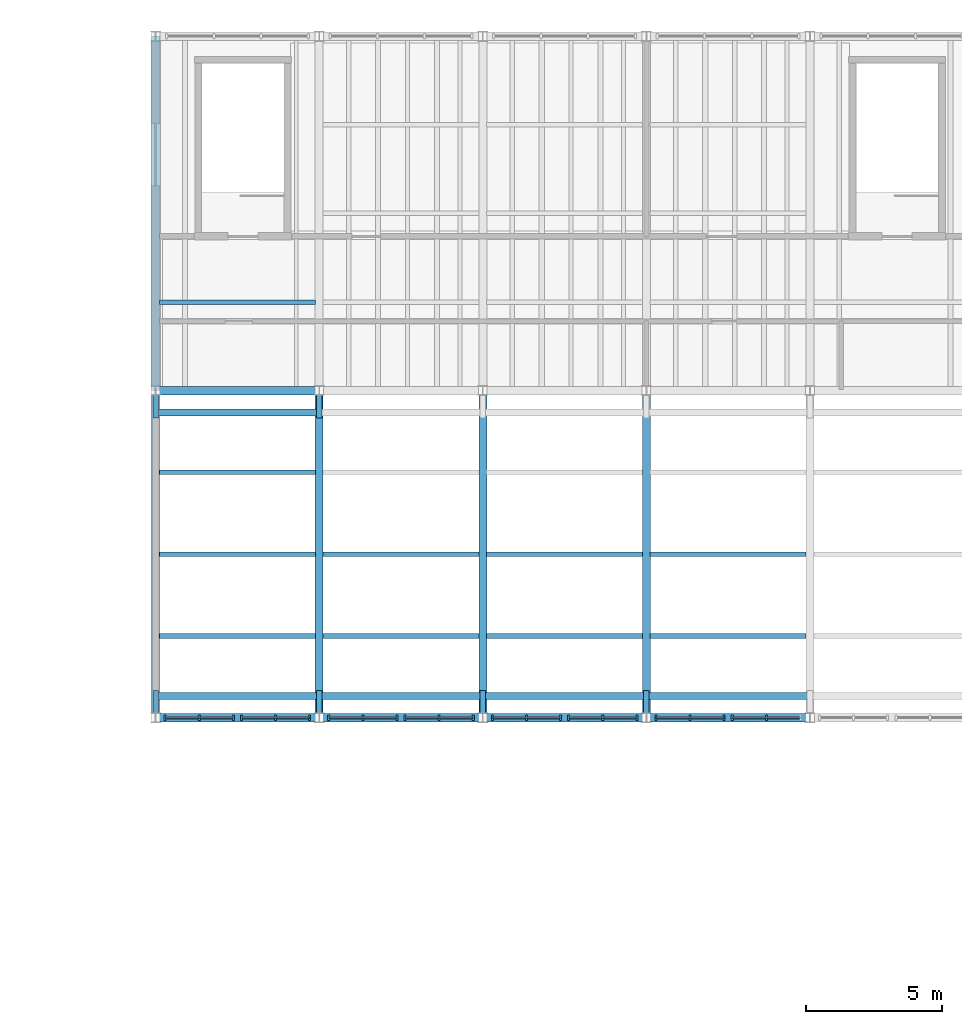
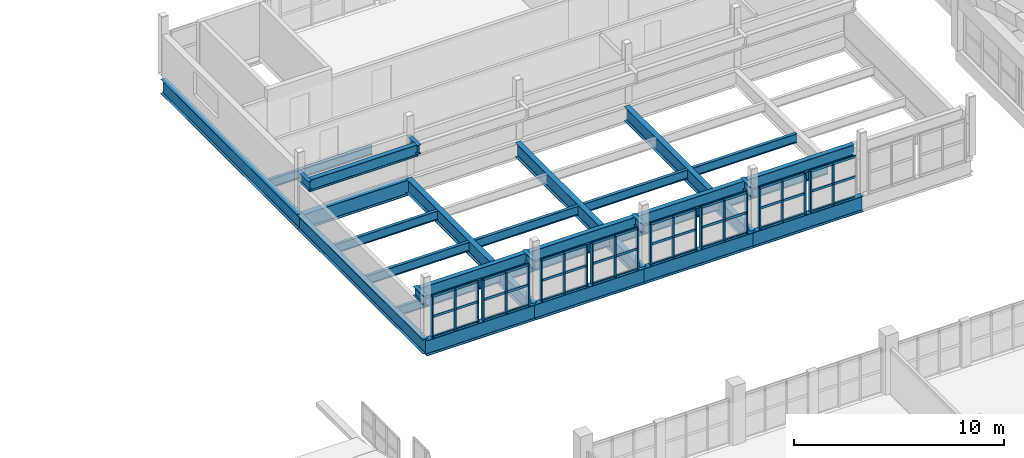
# One storey, part 37 of 77: 47 members, 31 beams, 8 elements without a shape of their own.
"""IFC4 building model written with IfcOpenShell, lengths in metres."""

from ifc_helpers import new_model, si_unit, direction, frame, origin, origin_2d, place, context, subcontext, project, spatial, rectangle, i_section, extrude, material, layer, layer_set, material_profile, profile_set, type_object, element, aggregate, save


model = new_model("IFC4")

# Units and contexts
model_context = context("Model", 3, precision=1e-05, world=origin(), true_north=direction((0.0, 1.0)))
body_context = subcontext(model_context, "Body", "Model", "MODEL_VIEW")
ifc_project = project(units=[si_unit("LENGTHUNIT", "METRE"), si_unit("AREAUNIT", "SQUARE_METRE"), si_unit("VOLUMEUNIT", "CUBIC_METRE"), si_unit("PLANEANGLEUNIT", "RADIAN"), si_unit("MASSUNIT", "GRAM", prefix="KILO")], contexts=[model_context])

# Site, building, storey
site_placement = place(None, origin())
site = spatial("IfcSite", under=ifc_project, at=site_placement, CompositionType="ELEMENT")
building_placement = place(site_placement, origin())
building = spatial("IfcBuilding", under=site, at=building_placement, Name="Trellovar Central Fire Station", CompositionType="ELEMENT")
storey_placement = place(building_placement, frame((0.0, 0.0, 5.85009765625)))
storey = spatial("IfcBuildingStorey", under=building, at=storey_placement, Name="L02", CompositionType="ELEMENT", Elevation=5.85009765625)

# Beams
ifc_material_1 = material(Name="Steel ASTM A992 Grade 50", Category="steel")
ifc_material_profile_1 = material_profile(ifc_material_1, i_section(OverallWidth=0.3046875, OverallDepth=0.911865234375, WebThickness=0.015869140625, FlangeThickness=0.02392578125, FilletRadius=0.024169921875, at=origin_2d()), Name="W36X150")
ifc_profile_set_1 = profile_set([ifc_material_profile_1], Name="Steel ASTM A992 Grade 50")
beam_type_1 = type_object("IfcBeamType", Name="BM-SW1", PredefinedType="BEAM", material=ifc_profile_set_1)
for number, where, z_axis, x_axis, name in (
    (1, (105.5, 48.0, -0.7060546875), (1.0, 0.0, 0.0), (0.0, 1.0, 0.0), "L02 beam SB-1"),
    (2, (111.5, 48.0, -0.7060546875), (1.0, 0.0, 0.0), (0.0, 1.0, 0.0), "L02 beam SB-1"),
    (3, (117.5, 48.0, -0.7060546875), (1.0, 0.0, 0.0), (0.0, 1.0, 0.0), "L02 beam SB-1"),
    (4, (123.5, 48.0, -0.7060546875), (1.0, 0.0, 0.0), (0.0, 1.0, 0.0), "L02 beam SB-1"),
    (5, (105.5, 60.0, -0.7060546875), (1.0, 0.0, 0.0), (0.0, 1.0, 0.0), "L02 beam SB-1"),
):
    element("IfcBeam", number, at=place(storey_placement, frame(where, z_axis=z_axis, x_axis=x_axis)), inside=storey, type_object=beam_type_1, Name=name, PredefinedType="BEAM", context=body_context, shape_type="SweptSolid", body=[
        extrude(i_section(OverallWidth=0.3046875, OverallDepth=0.911865234375, WebThickness=0.015869140625, FlangeThickness=0.02392578125, FilletRadius=0.024169921875, at=origin_2d()), origin(), (0.0, 0.0, 1.0), 6.0),
    ])
ifc_material_2 = material(Name="Steel ASTM A992 Grade 50", Category="steel")
ifc_material_profile_2 = material_profile(ifc_material_2, i_section(OverallWidth=0.2919921875, OverallDepth=0.8408203125, WebThickness=0.0146484375, FlangeThickness=0.021728515625, FilletRadius=0.020263671875, at=origin_2d()), Name="W33X130")
ifc_profile_set_2 = profile_set([ifc_material_profile_2], Name="Steel ASTM A992 Grade 50")
beam_type_2 = type_object("IfcBeamType", Name="BM-SW2", PredefinedType="BEAM", material=ifc_profile_set_2)
beam_1_placement = place(storey_placement, frame((105.5, 48.0, -0.67041015625), z_axis=(0.0, 1.0, 0.0), x_axis=(-1.0, 0.0, 0.0)))
element("IfcBeam", 6, at=beam_1_placement, inside=storey, type_object=beam_type_2, Name="L02 beam SB-2", PredefinedType="BEAM", context=body_context, shape_type="SweptSolid", body=[
    extrude(i_section(OverallWidth=0.2919921875, OverallDepth=0.8408203125, WebThickness=0.0146484375, FlangeThickness=0.021728515625, FilletRadius=0.020263671875, at=origin_2d()), origin(), (0.0, 0.0, 1.0), 12.0),
])
beam_2_placement = place(storey_placement, frame((105.5, 60.0, -0.67041015625), z_axis=(0.0, 1.0, 0.0), x_axis=(-1.0, 0.0, 0.0)))
element("IfcBeam", 7, at=beam_2_placement, inside=storey, type_object=beam_type_2, Name="L02 beam SB-2", PredefinedType="BEAM", context=body_context, shape_type="SweptSolid", body=[
    extrude(i_section(OverallWidth=0.2919921875, OverallDepth=0.8408203125, WebThickness=0.0146484375, FlangeThickness=0.021728515625, FilletRadius=0.020263671875, at=origin_2d()), origin(), (0.0, 0.0, 1.0), 13.0),
])
for number, where, z_axis, x_axis, name in (
    (8, (111.5, 48.0, -0.67041015625), (0.0, 1.0, 0.0), (-1.0, 0.0, 0.0), "L02 beam SB-2"),
    (9, (117.5, 48.0, -0.67041015625), (0.0, 1.0, 0.0), (-1.0, 0.0, 0.0), "L02 beam SB-2"),
    (10, (123.5, 48.0, -0.67041015625), (0.0, 1.0, 0.0), (-1.0, 0.0, 0.0), "L02 beam SB-2"),
):
    element("IfcBeam", number, at=place(storey_placement, frame(where, z_axis=z_axis, x_axis=x_axis)), inside=storey, type_object=beam_type_2, Name=name, PredefinedType="BEAM", context=body_context, shape_type="SweptSolid", body=[
        extrude(i_section(OverallWidth=0.2919921875, OverallDepth=0.8408203125, WebThickness=0.0146484375, FlangeThickness=0.021728515625, FilletRadius=0.020263671875, at=origin_2d()), origin(), (0.0, 0.0, 1.0), 12.0),
    ])
ifc_material_3 = material(Name="Steel ASTM A992 Grade 50", Category="steel")
ifc_material_profile_3 = material_profile(ifc_material_3, i_section(OverallWidth=0.253662109375, OverallDepth=0.683349609375, WebThickness=0.012451171875, FlangeThickness=0.018798828125, FilletRadius=0.0166015625, at=origin_2d()), Name="W27X94")
ifc_profile_set_3 = profile_set([ifc_material_profile_3], Name="Steel ASTM A992 Grade 50")
beam_type_3 = type_object("IfcBeamType", Name="BM-SW4", PredefinedType="BEAM", material=ifc_profile_set_3)
for number, where, z_axis, x_axis, name in (
    (11, (105.5, 48.800048828125, 1.908203125), (1.0, 0.0, 0.0), (0.0, 1.0, 0.0), "Fleet workshop 10t bridge crane runway beam"),
    (12, (111.5, 48.800048828125, 1.908203125), (1.0, 0.0, 0.0), (0.0, 1.0, 0.0), "Fleet workshop 10t bridge crane runway beam"),
    (13, (117.5, 48.800048828125, 1.908203125), (1.0, 0.0, 0.0), (0.0, 1.0, 0.0), "Fleet workshop 10t bridge crane runway beam"),
    (14, (123.5, 48.800048828125, 1.908203125), (1.0, 0.0, 0.0), (0.0, 1.0, 0.0), "Fleet workshop 10t bridge crane runway beam"),
    (15, (105.5, 59.199951171875, 1.908203125), (1.0, 0.0, 0.0), (0.0, 1.0, 0.0), "Fleet workshop 10t bridge crane runway beam"),
):
    element("IfcBeam", number, at=place(storey_placement, frame(where, z_axis=z_axis, x_axis=x_axis)), inside=storey, type_object=beam_type_3, Name=name, PredefinedType="BEAM", context=body_context, shape_type="SweptSolid", body=[
        extrude(i_section(OverallWidth=0.253662109375, OverallDepth=0.683349609375, WebThickness=0.012451171875, FlangeThickness=0.018798828125, FilletRadius=0.0166015625, at=origin_2d()), origin(), (0.0, 0.0, 1.0), 6.0),
    ])
ifc_material_4 = material(Name="Steel ASTM A992 Grade 50", Category="steel")
ifc_material_profile_4 = material_profile(ifc_material_4, i_section(OverallWidth=0.209228515625, OverallDepth=0.533447265625, WebThickness=0.01025390625, FlangeThickness=0.015625, FilletRadius=0.013916015625, at=origin_2d()), Name="W21X62")
ifc_profile_set_4 = profile_set([ifc_material_profile_4], Name="Steel ASTM A992 Grade 50")
beam_type_4 = type_object("IfcBeamType", Name="BM-SW7", PredefinedType="BEAM", material=ifc_profile_set_4)
for number, where, z_axis, x_axis, name in (
    (16, (105.5, 48.0, 1.983154296875), (0.0, 1.0, 0.0), (-1.0, 0.0, 0.0), "Crane runway column corbel S"),
    (17, (105.5, 59.0, 1.983154296875), (0.0, 1.0, 0.0), (-1.0, 0.0, 0.0), "Crane runway column corbel N"),
    (18, (111.5, 48.0, 1.983154296875), (0.0, 1.0, 0.0), (-1.0, 0.0, 0.0), "Crane runway column corbel S"),
    (19, (111.5, 59.0, 1.983154296875), (0.0, 1.0, 0.0), (-1.0, 0.0, 0.0), "Crane runway column corbel N"),
    (20, (117.5, 48.0, 1.983154296875), (0.0, 1.0, 0.0), (-1.0, 0.0, 0.0), "Crane runway column corbel S"),
    (21, (123.5, 48.0, 1.983154296875), (0.0, 1.0, 0.0), (-1.0, 0.0, 0.0), "Crane runway column corbel S"),
):
    element("IfcBeam", number, at=place(storey_placement, frame(where, z_axis=z_axis, x_axis=x_axis)), inside=storey, type_object=beam_type_4, Name=name, PredefinedType="BEAM", context=body_context, shape_type="SweptSolid", body=[
        extrude(i_section(OverallWidth=0.209228515625, OverallDepth=0.533447265625, WebThickness=0.01025390625, FlangeThickness=0.015625, FilletRadius=0.013916015625, at=origin_2d()), origin(), (0.0, 0.0, 1.0), 1.0),
    ])
ifc_material_5 = material(Name="Steel ASTM A992 Grade 50", Category="steel")
ifc_material_profile_5 = material_profile(ifc_material_5, i_section(OverallWidth=0.166015625, OverallDepth=0.529052734375, WebThickness=0.009765625, FlangeThickness=0.013671875, FilletRadius=0.013916015625, at=origin_2d()), Name="W21X50")
ifc_profile_set_5 = profile_set([ifc_material_profile_5], Name="Steel ASTM A992 Grade 50")
beam_type_5 = type_object("IfcBeamType", Name="BM-SW8", PredefinedType="JOIST", material=ifc_profile_set_5)
for number, where, z_axis, x_axis, name in (
    (22, (105.64111328125, 51.0, -0.5146484375), (1.0, 0.0, 0.0), (0.0, 1.0, 0.0), "L02 beam SB-8"),
    (23, (105.64111328125, 54.0, -0.5146484375), (1.0, 0.0, 0.0), (0.0, 1.0, 0.0), "L02 beam SB-8"),
    (24, (105.64111328125, 57.0, -0.5146484375), (1.0, 0.0, 0.0), (0.0, 1.0, 0.0), "L02 beam SB-8"),
    (25, (105.64111328125, 63.25, -0.5146484375), (1.0, 0.0, 0.0), (0.0, 1.0, 0.0), "L02 beam SB-8"),
    (26, (111.64111328125, 51.0, -0.5146484375), (1.0, 0.0, 0.0), (0.0, 1.0, 0.0), "L02 beam SB-8"),
    (27, (111.64111328125, 54.0, -0.5146484375), (1.0, 0.0, 0.0), (0.0, 1.0, 0.0), "L02 beam SB-8"),
    (28, (117.64111328125, 51.0, -0.5146484375), (1.0, 0.0, 0.0), (0.0, 1.0, 0.0), "L02 beam SB-8"),
    (29, (117.64111328125, 54.0, -0.5146484375), (1.0, 0.0, 0.0), (0.0, 1.0, 0.0), "L02 beam SB-8"),
    (30, (123.64111328125, 51.0, -0.5146484375), (1.0, 0.0, 0.0), (0.0, 1.0, 0.0), "L02 beam SB-8"),
    (31, (123.64111328125, 54.0, -0.5146484375), (1.0, 0.0, 0.0), (0.0, 1.0, 0.0), "L02 beam SB-8"),
):
    element("IfcBeam", number, at=place(storey_placement, frame(where, z_axis=z_axis, x_axis=x_axis)), inside=storey, type_object=beam_type_5, Name=name, PredefinedType="JOIST", context=body_context, shape_type="SweptSolid", body=[
        extrude(i_section(OverallWidth=0.166015625, OverallDepth=0.529052734375, WebThickness=0.009765625, FlangeThickness=0.013671875, FilletRadius=0.013916015625, at=origin_2d()), origin(), (0.0, 0.0, 1.0), 5.7177734375),
    ])

# Curtain wall, members
ifc_material_6 = material(Name="Thermally broken bronze anodized aluminum", Category="aluminium")
ifc_layer = layer(ifc_material_6, 0.159912109375)
ifc_layer_set = layer_set([ifc_layer], Name="Thermally broken bronze anodized aluminum")
curtain_wall_type = type_object("IfcCurtainWallType", Name="CW-08", PredefinedType="NOTDEFINED", material=ifc_layer_set)
curtain_wall_1_placement = place(storey_placement, origin())
curtain_wall_1 = element("IfcCurtainWall", 32, at=curtain_wall_1_placement, inside=storey, type_object=curtain_wall_type, Name="V6 workshop upper clerestory 1A", PredefinedType="NOTDEFINED")
ifc_material_7 = material(Name="Thermally broken bronze anodized aluminum", Category="aluminium")
ifc_material_profile_6 = material_profile(ifc_material_7, rectangle(XDim=0.074951171875, YDim=0.199951171875, at=origin_2d()), Name="ALU75X200")
ifc_profile_set_6 = profile_set([ifc_material_profile_6], Name="Thermally broken bronze anodized aluminum")
member_type_1 = type_object("IfcMemberType", Name="CWM-1", PredefinedType="MULLION", material=ifc_profile_set_6)
member_1_placement = place(storey_placement, frame((105.85009765625, 48.0, -0.25), z_axis=(0.0, 0.0, 1.0), x_axis=(1.0, 0.0, 0.0)))
member_1 = element("IfcMember", 33, at=member_1_placement, type_object=member_type_1, Name="CW3-L02-0104 mullion 1", PredefinedType="MULLION", context=body_context, shape_type="SweptSolid", body=[
    extrude(rectangle(XDim=0.074951171875, YDim=0.199951171875, at=origin_2d()), origin(), (0.0, 0.0, 1.0), 2.349853515625),
])
member_2_placement = place(storey_placement, frame((107.10009765625, 48.0, -0.25), z_axis=(0.0, 0.0, 1.0), x_axis=(1.0, 0.0, 0.0)))
member_2 = element("IfcMember", 34, at=member_2_placement, type_object=member_type_1, Name="CW3-L02-0104 mullion 2", PredefinedType="MULLION", context=body_context, shape_type="SweptSolid", body=[
    extrude(rectangle(XDim=0.074951171875, YDim=0.199951171875, at=origin_2d()), origin(), (0.0, 0.0, 1.0), 2.349853515625),
])
member_3_placement = place(storey_placement, frame((108.35009765625, 48.0, -0.25), z_axis=(0.0, 0.0, 1.0), x_axis=(1.0, 0.0, 0.0)))
member_3 = element("IfcMember", 35, at=member_3_placement, type_object=member_type_1, Name="CW3-L02-0104 mullion 3", PredefinedType="MULLION", context=body_context, shape_type="SweptSolid", body=[
    extrude(rectangle(XDim=0.074951171875, YDim=0.199951171875, at=origin_2d()), origin(), (0.0, 0.0, 1.0), 2.349853515625),
])

curtain_wall_2_placement = place(storey_placement, origin())
curtain_wall_2 = element("IfcCurtainWall", 36, at=curtain_wall_2_placement, inside=storey, type_object=curtain_wall_type, Name="V6 workshop upper clerestory 1B", PredefinedType="NOTDEFINED")
member_4_placement = place(storey_placement, frame((108.64990234375, 48.0, -0.25), z_axis=(0.0, 0.0, 1.0), x_axis=(1.0, 0.0, 0.0)))
member_4 = element("IfcMember", 37, at=member_4_placement, type_object=member_type_1, Name="CW3-L02-0105 mullion 1", PredefinedType="MULLION", context=body_context, shape_type="SweptSolid", body=[
    extrude(rectangle(XDim=0.074951171875, YDim=0.199951171875, at=origin_2d()), origin(), (0.0, 0.0, 1.0), 2.349853515625),
])
member_5_placement = place(storey_placement, frame((109.89990234375, 48.0, -0.25), z_axis=(0.0, 0.0, 1.0), x_axis=(1.0, 0.0, 0.0)))
member_5 = element("IfcMember", 38, at=member_5_placement, type_object=member_type_1, Name="CW3-L02-0105 mullion 2", PredefinedType="MULLION", context=body_context, shape_type="SweptSolid", body=[
    extrude(rectangle(XDim=0.074951171875, YDim=0.199951171875, at=origin_2d()), origin(), (0.0, 0.0, 1.0), 2.349853515625),
])
member_6_placement = place(storey_placement, frame((111.14990234375, 48.0, -0.25), z_axis=(0.0, 0.0, 1.0), x_axis=(1.0, 0.0, 0.0)))
member_6 = element("IfcMember", 39, at=member_6_placement, type_object=member_type_1, Name="CW3-L02-0105 mullion 3", PredefinedType="MULLION", context=body_context, shape_type="SweptSolid", body=[
    extrude(rectangle(XDim=0.074951171875, YDim=0.199951171875, at=origin_2d()), origin(), (0.0, 0.0, 1.0), 2.349853515625),
])

curtain_wall_3_placement = place(storey_placement, origin())
curtain_wall_3 = element("IfcCurtainWall", 40, at=curtain_wall_3_placement, inside=storey, type_object=curtain_wall_type, Name="V6 workshop upper clerestory 2A", PredefinedType="NOTDEFINED")
member_7_placement = place(storey_placement, frame((111.85009765625, 48.0, -0.25), z_axis=(0.0, 0.0, 1.0), x_axis=(1.0, 0.0, 0.0)))
member_7 = element("IfcMember", 41, at=member_7_placement, type_object=member_type_1, Name="CW3-L02-0112 mullion 1", PredefinedType="MULLION", context=body_context, shape_type="SweptSolid", body=[
    extrude(rectangle(XDim=0.074951171875, YDim=0.199951171875, at=origin_2d()), origin(), (0.0, 0.0, 1.0), 2.349853515625),
])
member_8_placement = place(storey_placement, frame((113.10009765625, 48.0, -0.25), z_axis=(0.0, 0.0, 1.0), x_axis=(1.0, 0.0, 0.0)))
member_8 = element("IfcMember", 42, at=member_8_placement, type_object=member_type_1, Name="CW3-L02-0112 mullion 2", PredefinedType="MULLION", context=body_context, shape_type="SweptSolid", body=[
    extrude(rectangle(XDim=0.074951171875, YDim=0.199951171875, at=origin_2d()), origin(), (0.0, 0.0, 1.0), 2.349853515625),
])
member_9_placement = place(storey_placement, frame((114.35009765625, 48.0, -0.25), z_axis=(0.0, 0.0, 1.0), x_axis=(1.0, 0.0, 0.0)))
member_9 = element("IfcMember", 43, at=member_9_placement, type_object=member_type_1, Name="CW3-L02-0112 mullion 3", PredefinedType="MULLION", context=body_context, shape_type="SweptSolid", body=[
    extrude(rectangle(XDim=0.074951171875, YDim=0.199951171875, at=origin_2d()), origin(), (0.0, 0.0, 1.0), 2.349853515625),
])

curtain_wall_4_placement = place(storey_placement, origin())
curtain_wall_4 = element("IfcCurtainWall", 44, at=curtain_wall_4_placement, inside=storey, type_object=curtain_wall_type, Name="V6 workshop upper clerestory 2B", PredefinedType="NOTDEFINED")
member_10_placement = place(storey_placement, frame((114.64990234375, 48.0, -0.25), z_axis=(0.0, 0.0, 1.0), x_axis=(1.0, 0.0, 0.0)))
member_10 = element("IfcMember", 45, at=member_10_placement, type_object=member_type_1, Name="CW3-L02-0113 mullion 1", PredefinedType="MULLION", context=body_context, shape_type="SweptSolid", body=[
    extrude(rectangle(XDim=0.074951171875, YDim=0.199951171875, at=origin_2d()), origin(), (0.0, 0.0, 1.0), 2.349853515625),
])
member_11_placement = place(storey_placement, frame((115.89990234375, 48.0, -0.25), z_axis=(0.0, 0.0, 1.0), x_axis=(1.0, 0.0, 0.0)))
member_11 = element("IfcMember", 46, at=member_11_placement, type_object=member_type_1, Name="CW3-L02-0113 mullion 2", PredefinedType="MULLION", context=body_context, shape_type="SweptSolid", body=[
    extrude(rectangle(XDim=0.074951171875, YDim=0.199951171875, at=origin_2d()), origin(), (0.0, 0.0, 1.0), 2.349853515625),
])
member_12_placement = place(storey_placement, frame((117.14990234375, 48.0, -0.25), z_axis=(0.0, 0.0, 1.0), x_axis=(1.0, 0.0, 0.0)))
member_12 = element("IfcMember", 47, at=member_12_placement, type_object=member_type_1, Name="CW3-L02-0113 mullion 3", PredefinedType="MULLION", context=body_context, shape_type="SweptSolid", body=[
    extrude(rectangle(XDim=0.074951171875, YDim=0.199951171875, at=origin_2d()), origin(), (0.0, 0.0, 1.0), 2.349853515625),
])

curtain_wall_5_placement = place(storey_placement, origin())
curtain_wall_5 = element("IfcCurtainWall", 48, at=curtain_wall_5_placement, inside=storey, type_object=curtain_wall_type, Name="V6 workshop upper clerestory 3A", PredefinedType="NOTDEFINED")
member_13_placement = place(storey_placement, frame((117.85009765625, 48.0, -0.25), z_axis=(0.0, 0.0, 1.0), x_axis=(1.0, 0.0, 0.0)))
member_13 = element("IfcMember", 49, at=member_13_placement, type_object=member_type_1, Name="CW3-L02-0120 mullion 1", PredefinedType="MULLION", context=body_context, shape_type="SweptSolid", body=[
    extrude(rectangle(XDim=0.074951171875, YDim=0.199951171875, at=origin_2d()), origin(), (0.0, 0.0, 1.0), 2.349853515625),
])
member_14_placement = place(storey_placement, frame((119.10009765625, 48.0, -0.25), z_axis=(0.0, 0.0, 1.0), x_axis=(1.0, 0.0, 0.0)))
member_14 = element("IfcMember", 50, at=member_14_placement, type_object=member_type_1, Name="CW3-L02-0120 mullion 2", PredefinedType="MULLION", context=body_context, shape_type="SweptSolid", body=[
    extrude(rectangle(XDim=0.074951171875, YDim=0.199951171875, at=origin_2d()), origin(), (0.0, 0.0, 1.0), 2.349853515625),
])
member_15_placement = place(storey_placement, frame((120.35009765625, 48.0, -0.25), z_axis=(0.0, 0.0, 1.0), x_axis=(1.0, 0.0, 0.0)))
member_15 = element("IfcMember", 51, at=member_15_placement, type_object=member_type_1, Name="CW3-L02-0120 mullion 3", PredefinedType="MULLION", context=body_context, shape_type="SweptSolid", body=[
    extrude(rectangle(XDim=0.074951171875, YDim=0.199951171875, at=origin_2d()), origin(), (0.0, 0.0, 1.0), 2.349853515625),
])

curtain_wall_6_placement = place(storey_placement, origin())
curtain_wall_6 = element("IfcCurtainWall", 52, at=curtain_wall_6_placement, inside=storey, type_object=curtain_wall_type, Name="V6 workshop upper clerestory 3B", PredefinedType="NOTDEFINED")
member_16_placement = place(storey_placement, frame((120.64990234375, 48.0, -0.25), z_axis=(0.0, 0.0, 1.0), x_axis=(1.0, 0.0, 0.0)))
member_16 = element("IfcMember", 53, at=member_16_placement, type_object=member_type_1, Name="CW3-L02-0121 mullion 1", PredefinedType="MULLION", context=body_context, shape_type="SweptSolid", body=[
    extrude(rectangle(XDim=0.074951171875, YDim=0.199951171875, at=origin_2d()), origin(), (0.0, 0.0, 1.0), 2.349853515625),
])
member_17_placement = place(storey_placement, frame((121.89990234375, 48.0, -0.25), z_axis=(0.0, 0.0, 1.0), x_axis=(1.0, 0.0, 0.0)))
member_17 = element("IfcMember", 54, at=member_17_placement, type_object=member_type_1, Name="CW3-L02-0121 mullion 2", PredefinedType="MULLION", context=body_context, shape_type="SweptSolid", body=[
    extrude(rectangle(XDim=0.074951171875, YDim=0.199951171875, at=origin_2d()), origin(), (0.0, 0.0, 1.0), 2.349853515625),
])
member_18_placement = place(storey_placement, frame((123.14990234375, 48.0, -0.25), z_axis=(0.0, 0.0, 1.0), x_axis=(1.0, 0.0, 0.0)))
member_18 = element("IfcMember", 55, at=member_18_placement, type_object=member_type_1, Name="CW3-L02-0121 mullion 3", PredefinedType="MULLION", context=body_context, shape_type="SweptSolid", body=[
    extrude(rectangle(XDim=0.074951171875, YDim=0.199951171875, at=origin_2d()), origin(), (0.0, 0.0, 1.0), 2.349853515625),
])

curtain_wall_7_placement = place(storey_placement, origin())
curtain_wall_7 = element("IfcCurtainWall", 56, at=curtain_wall_7_placement, inside=storey, type_object=curtain_wall_type, Name="V6 workshop upper clerestory 4A", PredefinedType="NOTDEFINED")
member_19_placement = place(storey_placement, frame((123.85009765625, 48.0, -0.25), z_axis=(0.0, 0.0, 1.0), x_axis=(1.0, 0.0, 0.0)))
member_19 = element("IfcMember", 57, at=member_19_placement, type_object=member_type_1, Name="CW3-L02-0128 mullion 1", PredefinedType="MULLION", context=body_context, shape_type="SweptSolid", body=[
    extrude(rectangle(XDim=0.074951171875, YDim=0.199951171875, at=origin_2d()), origin(), (0.0, 0.0, 1.0), 2.349853515625),
])
member_20_placement = place(storey_placement, frame((125.10009765625, 48.0, -0.25), z_axis=(0.0, 0.0, 1.0), x_axis=(1.0, 0.0, 0.0)))
member_20 = element("IfcMember", 58, at=member_20_placement, type_object=member_type_1, Name="CW3-L02-0128 mullion 2", PredefinedType="MULLION", context=body_context, shape_type="SweptSolid", body=[
    extrude(rectangle(XDim=0.074951171875, YDim=0.199951171875, at=origin_2d()), origin(), (0.0, 0.0, 1.0), 2.349853515625),
])
member_21_placement = place(storey_placement, frame((126.35009765625, 48.0, -0.25), z_axis=(0.0, 0.0, 1.0), x_axis=(1.0, 0.0, 0.0)))
member_21 = element("IfcMember", 59, at=member_21_placement, type_object=member_type_1, Name="CW3-L02-0128 mullion 3", PredefinedType="MULLION", context=body_context, shape_type="SweptSolid", body=[
    extrude(rectangle(XDim=0.074951171875, YDim=0.199951171875, at=origin_2d()), origin(), (0.0, 0.0, 1.0), 2.349853515625),
])

curtain_wall_8_placement = place(storey_placement, origin())
curtain_wall_8 = element("IfcCurtainWall", 60, at=curtain_wall_8_placement, inside=storey, type_object=curtain_wall_type, Name="V6 workshop upper clerestory 4B", PredefinedType="NOTDEFINED")
member_22_placement = place(storey_placement, frame((126.64990234375, 48.0, -0.25), z_axis=(0.0, 0.0, 1.0), x_axis=(1.0, 0.0, 0.0)))
member_22 = element("IfcMember", 61, at=member_22_placement, type_object=member_type_1, Name="CW3-L02-0129 mullion 1", PredefinedType="MULLION", context=body_context, shape_type="SweptSolid", body=[
    extrude(rectangle(XDim=0.074951171875, YDim=0.199951171875, at=origin_2d()), origin(), (0.0, 0.0, 1.0), 2.349853515625),
])
member_23_placement = place(storey_placement, frame((127.89990234375, 48.0, -0.25), z_axis=(0.0, 0.0, 1.0), x_axis=(1.0, 0.0, 0.0)))
member_23 = element("IfcMember", 62, at=member_23_placement, type_object=member_type_1, Name="CW3-L02-0129 mullion 2", PredefinedType="MULLION", context=body_context, shape_type="SweptSolid", body=[
    extrude(rectangle(XDim=0.074951171875, YDim=0.199951171875, at=origin_2d()), origin(), (0.0, 0.0, 1.0), 2.349853515625),
])

# Member
ifc_material_8 = material(Name="Thermally broken bronze anodized aluminum", Category="aluminium")
ifc_material_profile_7 = material_profile(ifc_material_8, rectangle(XDim=0.06005859375, YDim=0.139892578125, at=origin_2d()), Name="ALU60X140")
ifc_profile_set_7 = profile_set([ifc_material_profile_7], Name="Thermally broken bronze anodized aluminum")
member_type_2 = type_object("IfcMemberType", Name="CWT-1", PredefinedType="USERDEFINED", material=ifc_profile_set_7)
member_24_placement = place(storey_placement, frame((105.85009765625, 48.0, -0.25), z_axis=(1.0, 0.0, 0.0), x_axis=(0.0, 1.0, 0.0)))
member_24 = element("IfcMember", 63, at=member_24_placement, type_object=member_type_2, Name="CW3-L02-0104 transom 1", ObjectType="TRANSOM", PredefinedType="USERDEFINED", context=body_context, shape_type="SweptSolid", body=[
    extrude(rectangle(XDim=0.06005859375, YDim=0.139892578125, at=origin_2d()), origin(), (0.0, 0.0, 1.0), 2.5),
])

member_25_placement = place(storey_placement, frame((105.85009765625, 48.0, 0.9248046875), z_axis=(1.0, 0.0, 0.0), x_axis=(0.0, 1.0, 0.0)))
member_25 = element("IfcMember", 64, at=member_25_placement, type_object=member_type_2, Name="CW3-L02-0104 transom 2", ObjectType="TRANSOM", PredefinedType="USERDEFINED", context=body_context, shape_type="SweptSolid", body=[
    extrude(rectangle(XDim=0.06005859375, YDim=0.139892578125, at=origin_2d()), origin(), (0.0, 0.0, 1.0), 2.5),
])

member_26_placement = place(storey_placement, frame((105.85009765625, 48.0, 2.099853515625), z_axis=(1.0, 0.0, 0.0), x_axis=(0.0, 1.0, 0.0)))
member_26 = element("IfcMember", 65, at=member_26_placement, type_object=member_type_2, Name="CW3-L02-0104 transom 3", ObjectType="TRANSOM", PredefinedType="USERDEFINED", context=body_context, shape_type="SweptSolid", body=[
    extrude(rectangle(XDim=0.06005859375, YDim=0.139892578125, at=origin_2d()), origin(), (0.0, 0.0, 1.0), 2.5),
])

aggregate(curtain_wall_1, [member_1, member_2, member_3, member_24, member_25, member_26])

member_27_placement = place(storey_placement, frame((108.64990234375, 48.0, -0.25), z_axis=(1.0, 0.0, 0.0), x_axis=(0.0, 1.0, 0.0)))
member_27 = element("IfcMember", 66, at=member_27_placement, type_object=member_type_2, Name="CW3-L02-0105 transom 1", ObjectType="TRANSOM", PredefinedType="USERDEFINED", context=body_context, shape_type="SweptSolid", body=[
    extrude(rectangle(XDim=0.06005859375, YDim=0.139892578125, at=origin_2d()), origin(), (0.0, 0.0, 1.0), 2.5),
])

member_28_placement = place(storey_placement, frame((108.64990234375, 48.0, 0.9248046875), z_axis=(1.0, 0.0, 0.0), x_axis=(0.0, 1.0, 0.0)))
member_28 = element("IfcMember", 67, at=member_28_placement, type_object=member_type_2, Name="CW3-L02-0105 transom 2", ObjectType="TRANSOM", PredefinedType="USERDEFINED", context=body_context, shape_type="SweptSolid", body=[
    extrude(rectangle(XDim=0.06005859375, YDim=0.139892578125, at=origin_2d()), origin(), (0.0, 0.0, 1.0), 2.5),
])

member_29_placement = place(storey_placement, frame((108.64990234375, 48.0, 2.099853515625), z_axis=(1.0, 0.0, 0.0), x_axis=(0.0, 1.0, 0.0)))
member_29 = element("IfcMember", 68, at=member_29_placement, type_object=member_type_2, Name="CW3-L02-0105 transom 3", ObjectType="TRANSOM", PredefinedType="USERDEFINED", context=body_context, shape_type="SweptSolid", body=[
    extrude(rectangle(XDim=0.06005859375, YDim=0.139892578125, at=origin_2d()), origin(), (0.0, 0.0, 1.0), 2.5),
])

aggregate(curtain_wall_2, [member_4, member_5, member_6, member_27, member_28, member_29])

member_30_placement = place(storey_placement, frame((111.85009765625, 48.0, -0.25), z_axis=(1.0, 0.0, 0.0), x_axis=(0.0, 1.0, 0.0)))
member_30 = element("IfcMember", 69, at=member_30_placement, type_object=member_type_2, Name="CW3-L02-0112 transom 1", ObjectType="TRANSOM", PredefinedType="USERDEFINED", context=body_context, shape_type="SweptSolid", body=[
    extrude(rectangle(XDim=0.06005859375, YDim=0.139892578125, at=origin_2d()), origin(), (0.0, 0.0, 1.0), 2.5),
])

member_31_placement = place(storey_placement, frame((111.85009765625, 48.0, 0.9248046875), z_axis=(1.0, 0.0, 0.0), x_axis=(0.0, 1.0, 0.0)))
member_31 = element("IfcMember", 70, at=member_31_placement, type_object=member_type_2, Name="CW3-L02-0112 transom 2", ObjectType="TRANSOM", PredefinedType="USERDEFINED", context=body_context, shape_type="SweptSolid", body=[
    extrude(rectangle(XDim=0.06005859375, YDim=0.139892578125, at=origin_2d()), origin(), (0.0, 0.0, 1.0), 2.5),
])

member_32_placement = place(storey_placement, frame((111.85009765625, 48.0, 2.099853515625), z_axis=(1.0, 0.0, 0.0), x_axis=(0.0, 1.0, 0.0)))
member_32 = element("IfcMember", 71, at=member_32_placement, type_object=member_type_2, Name="CW3-L02-0112 transom 3", ObjectType="TRANSOM", PredefinedType="USERDEFINED", context=body_context, shape_type="SweptSolid", body=[
    extrude(rectangle(XDim=0.06005859375, YDim=0.139892578125, at=origin_2d()), origin(), (0.0, 0.0, 1.0), 2.5),
])

aggregate(curtain_wall_3, [member_7, member_8, member_9, member_30, member_31, member_32])

member_33_placement = place(storey_placement, frame((114.64990234375, 48.0, -0.25), z_axis=(1.0, 0.0, 0.0), x_axis=(0.0, 1.0, 0.0)))
member_33 = element("IfcMember", 72, at=member_33_placement, type_object=member_type_2, Name="CW3-L02-0113 transom 1", ObjectType="TRANSOM", PredefinedType="USERDEFINED", context=body_context, shape_type="SweptSolid", body=[
    extrude(rectangle(XDim=0.06005859375, YDim=0.139892578125, at=origin_2d()), origin(), (0.0, 0.0, 1.0), 2.5),
])

member_34_placement = place(storey_placement, frame((114.64990234375, 48.0, 0.9248046875), z_axis=(1.0, 0.0, 0.0), x_axis=(0.0, 1.0, 0.0)))
member_34 = element("IfcMember", 73, at=member_34_placement, type_object=member_type_2, Name="CW3-L02-0113 transom 2", ObjectType="TRANSOM", PredefinedType="USERDEFINED", context=body_context, shape_type="SweptSolid", body=[
    extrude(rectangle(XDim=0.06005859375, YDim=0.139892578125, at=origin_2d()), origin(), (0.0, 0.0, 1.0), 2.5),
])

member_35_placement = place(storey_placement, frame((114.64990234375, 48.0, 2.099853515625), z_axis=(1.0, 0.0, 0.0), x_axis=(0.0, 1.0, 0.0)))
member_35 = element("IfcMember", 74, at=member_35_placement, type_object=member_type_2, Name="CW3-L02-0113 transom 3", ObjectType="TRANSOM", PredefinedType="USERDEFINED", context=body_context, shape_type="SweptSolid", body=[
    extrude(rectangle(XDim=0.06005859375, YDim=0.139892578125, at=origin_2d()), origin(), (0.0, 0.0, 1.0), 2.5),
])

aggregate(curtain_wall_4, [member_10, member_11, member_12, member_33, member_34, member_35])

member_36_placement = place(storey_placement, frame((117.85009765625, 48.0, -0.25), z_axis=(1.0, 0.0, 0.0), x_axis=(0.0, 1.0, 0.0)))
member_36 = element("IfcMember", 75, at=member_36_placement, type_object=member_type_2, Name="CW3-L02-0120 transom 1", ObjectType="TRANSOM", PredefinedType="USERDEFINED", context=body_context, shape_type="SweptSolid", body=[
    extrude(rectangle(XDim=0.06005859375, YDim=0.139892578125, at=origin_2d()), origin(), (0.0, 0.0, 1.0), 2.5),
])

member_37_placement = place(storey_placement, frame((117.85009765625, 48.0, 0.9248046875), z_axis=(1.0, 0.0, 0.0), x_axis=(0.0, 1.0, 0.0)))
member_37 = element("IfcMember", 76, at=member_37_placement, type_object=member_type_2, Name="CW3-L02-0120 transom 2", ObjectType="TRANSOM", PredefinedType="USERDEFINED", context=body_context, shape_type="SweptSolid", body=[
    extrude(rectangle(XDim=0.06005859375, YDim=0.139892578125, at=origin_2d()), origin(), (0.0, 0.0, 1.0), 2.5),
])

member_38_placement = place(storey_placement, frame((117.85009765625, 48.0, 2.099853515625), z_axis=(1.0, 0.0, 0.0), x_axis=(0.0, 1.0, 0.0)))
member_38 = element("IfcMember", 77, at=member_38_placement, type_object=member_type_2, Name="CW3-L02-0120 transom 3", ObjectType="TRANSOM", PredefinedType="USERDEFINED", context=body_context, shape_type="SweptSolid", body=[
    extrude(rectangle(XDim=0.06005859375, YDim=0.139892578125, at=origin_2d()), origin(), (0.0, 0.0, 1.0), 2.5),
])

aggregate(curtain_wall_5, [member_13, member_14, member_15, member_36, member_37, member_38])

member_39_placement = place(storey_placement, frame((120.64990234375, 48.0, -0.25), z_axis=(1.0, 0.0, 0.0), x_axis=(0.0, 1.0, 0.0)))
member_39 = element("IfcMember", 78, at=member_39_placement, type_object=member_type_2, Name="CW3-L02-0121 transom 1", ObjectType="TRANSOM", PredefinedType="USERDEFINED", context=body_context, shape_type="SweptSolid", body=[
    extrude(rectangle(XDim=0.06005859375, YDim=0.139892578125, at=origin_2d()), origin(), (0.0, 0.0, 1.0), 2.5),
])

member_40_placement = place(storey_placement, frame((120.64990234375, 48.0, 0.9248046875), z_axis=(1.0, 0.0, 0.0), x_axis=(0.0, 1.0, 0.0)))
member_40 = element("IfcMember", 79, at=member_40_placement, type_object=member_type_2, Name="CW3-L02-0121 transom 2", ObjectType="TRANSOM", PredefinedType="USERDEFINED", context=body_context, shape_type="SweptSolid", body=[
    extrude(rectangle(XDim=0.06005859375, YDim=0.139892578125, at=origin_2d()), origin(), (0.0, 0.0, 1.0), 2.5),
])

member_41_placement = place(storey_placement, frame((120.64990234375, 48.0, 2.099853515625), z_axis=(1.0, 0.0, 0.0), x_axis=(0.0, 1.0, 0.0)))
member_41 = element("IfcMember", 80, at=member_41_placement, type_object=member_type_2, Name="CW3-L02-0121 transom 3", ObjectType="TRANSOM", PredefinedType="USERDEFINED", context=body_context, shape_type="SweptSolid", body=[
    extrude(rectangle(XDim=0.06005859375, YDim=0.139892578125, at=origin_2d()), origin(), (0.0, 0.0, 1.0), 2.5),
])

aggregate(curtain_wall_6, [member_16, member_17, member_18, member_39, member_40, member_41])

member_42_placement = place(storey_placement, frame((123.85009765625, 48.0, -0.25), z_axis=(1.0, 0.0, 0.0), x_axis=(0.0, 1.0, 0.0)))
member_42 = element("IfcMember", 81, at=member_42_placement, type_object=member_type_2, Name="CW3-L02-0128 transom 1", ObjectType="TRANSOM", PredefinedType="USERDEFINED", context=body_context, shape_type="SweptSolid", body=[
    extrude(rectangle(XDim=0.06005859375, YDim=0.139892578125, at=origin_2d()), origin(), (0.0, 0.0, 1.0), 2.5),
])

member_43_placement = place(storey_placement, frame((123.85009765625, 48.0, 0.9248046875), z_axis=(1.0, 0.0, 0.0), x_axis=(0.0, 1.0, 0.0)))
member_43 = element("IfcMember", 82, at=member_43_placement, type_object=member_type_2, Name="CW3-L02-0128 transom 2", ObjectType="TRANSOM", PredefinedType="USERDEFINED", context=body_context, shape_type="SweptSolid", body=[
    extrude(rectangle(XDim=0.06005859375, YDim=0.139892578125, at=origin_2d()), origin(), (0.0, 0.0, 1.0), 2.5),
])

member_44_placement = place(storey_placement, frame((123.85009765625, 48.0, 2.099853515625), z_axis=(1.0, 0.0, 0.0), x_axis=(0.0, 1.0, 0.0)))
member_44 = element("IfcMember", 83, at=member_44_placement, type_object=member_type_2, Name="CW3-L02-0128 transom 3", ObjectType="TRANSOM", PredefinedType="USERDEFINED", context=body_context, shape_type="SweptSolid", body=[
    extrude(rectangle(XDim=0.06005859375, YDim=0.139892578125, at=origin_2d()), origin(), (0.0, 0.0, 1.0), 2.5),
])

aggregate(curtain_wall_7, [member_19, member_20, member_21, member_42, member_43, member_44])

member_45_placement = place(storey_placement, frame((126.64990234375, 48.0, -0.25), z_axis=(1.0, 0.0, 0.0), x_axis=(0.0, 1.0, 0.0)))
member_45 = element("IfcMember", 84, at=member_45_placement, type_object=member_type_2, Name="CW3-L02-0129 transom 1", ObjectType="TRANSOM", PredefinedType="USERDEFINED", context=body_context, shape_type="SweptSolid", body=[
    extrude(rectangle(XDim=0.06005859375, YDim=0.139892578125, at=origin_2d()), origin(), (0.0, 0.0, 1.0), 2.5),
])

member_46_placement = place(storey_placement, frame((126.64990234375, 48.0, 0.9248046875), z_axis=(1.0, 0.0, 0.0), x_axis=(0.0, 1.0, 0.0)))
member_46 = element("IfcMember", 85, at=member_46_placement, type_object=member_type_2, Name="CW3-L02-0129 transom 2", ObjectType="TRANSOM", PredefinedType="USERDEFINED", context=body_context, shape_type="SweptSolid", body=[
    extrude(rectangle(XDim=0.06005859375, YDim=0.139892578125, at=origin_2d()), origin(), (0.0, 0.0, 1.0), 2.5),
])

member_47_placement = place(storey_placement, frame((126.64990234375, 48.0, 2.099853515625), z_axis=(1.0, 0.0, 0.0), x_axis=(0.0, 1.0, 0.0)))
member_47 = element("IfcMember", 86, at=member_47_placement, type_object=member_type_2, Name="CW3-L02-0129 transom 3", ObjectType="TRANSOM", PredefinedType="USERDEFINED", context=body_context, shape_type="SweptSolid", body=[
    extrude(rectangle(XDim=0.06005859375, YDim=0.139892578125, at=origin_2d()), origin(), (0.0, 0.0, 1.0), 2.5),
])

aggregate(curtain_wall_8, [member_22, member_23, member_45, member_46, member_47])

save(model, "model.ifc")
